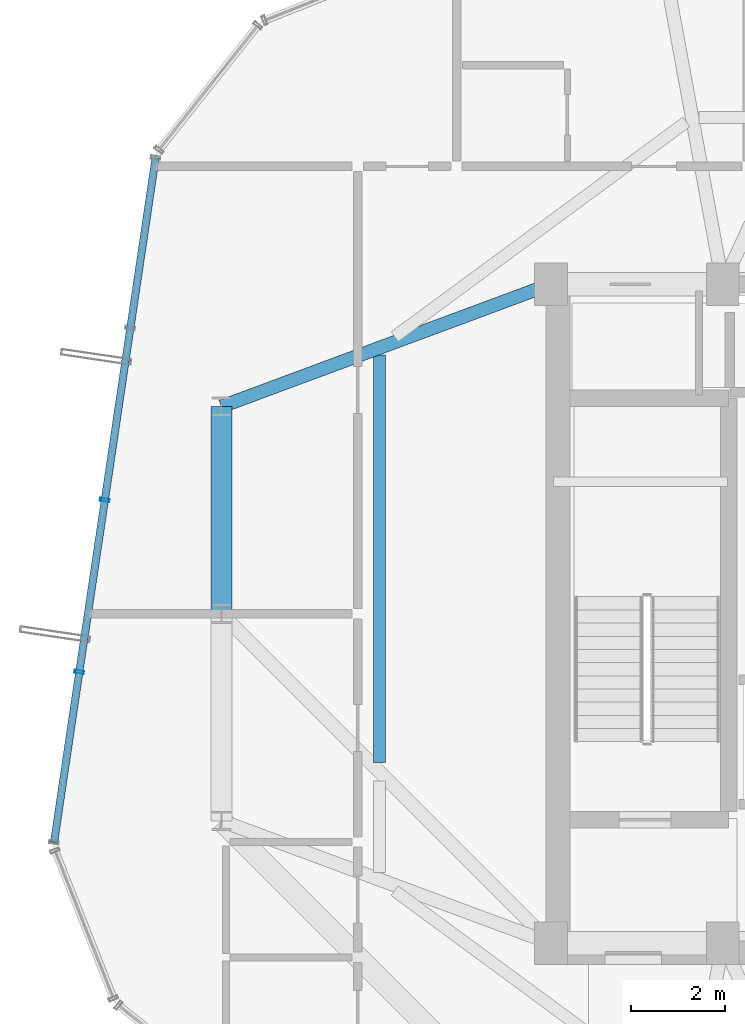
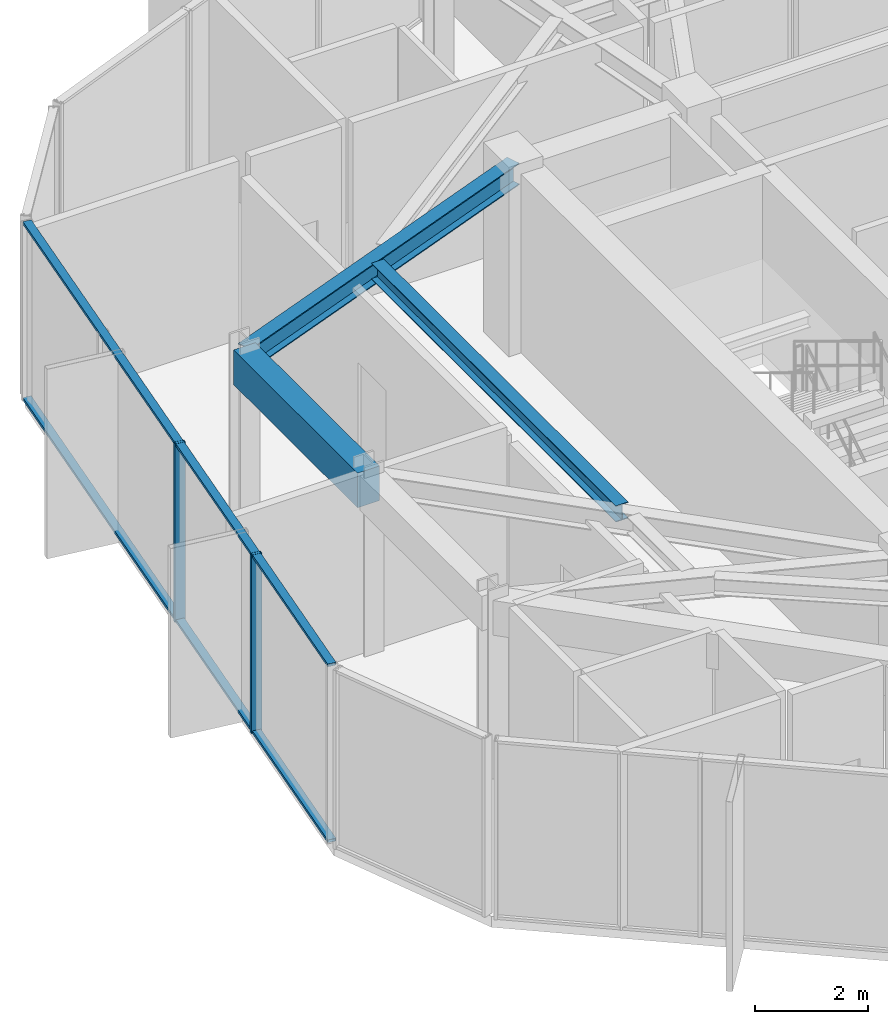
# One storey, part 9 of 22: 4 members, 3 beams, 1 element without a shape of its own.
"""IFC4 building model written with IfcOpenShell, lengths in metres."""

from ifc_helpers import new_model, si_unit, direction, frame, origin, origin_2d, place, context, subcontext, project, spatial, rectangle, hollow_rectangle, i_section, extrude, source, transform, mapped, material, layer, layer_set, material_profile, profile_set, type_object, element, aggregate, save


model = new_model("IFC4")

# Units and contexts
model_context = context("Model", 3, precision=1e-05, world=origin(), true_north=direction((0.0, 1.0)))
body_context = subcontext(model_context, "Body", "Model", "MODEL_VIEW")
ifc_project = project(units=[si_unit("LENGTHUNIT", "METRE"), si_unit("AREAUNIT", "SQUARE_METRE"), si_unit("VOLUMEUNIT", "CUBIC_METRE"), si_unit("PLANEANGLEUNIT", "RADIAN"), si_unit("MASSUNIT", "GRAM", prefix="KILO")], contexts=[model_context])

# Site, building, storey
site_placement = place(None, origin())
site = spatial("IfcSite", under=ifc_project, at=site_placement, CompositionType="ELEMENT")
building_placement = place(site_placement, origin())
building = spatial("IfcBuilding", under=site, at=building_placement, Name="Veraguas Prism Commons", CompositionType="ELEMENT")
storey_placement = place(building_placement, frame((0.0, 0.0, 236.550048828125)))
storey = spatial("IfcBuildingStorey", under=building, at=storey_placement, Name="L67", CompositionType="ELEMENT", Elevation=236.550048828125)

# Beams
ifc_material_1 = material(Name="Concrete C50/60", Category="concrete")
ifc_material_profile_1 = material_profile(ifc_material_1, rectangle(XDim=0.449951171875, YDim=0.75, at=origin_2d()), Name="RC450X750")
ifc_profile_set_1 = profile_set([ifc_material_profile_1], Name="Concrete C50/60")
beam_type_1 = type_object("IfcBeamType", Name="Perimeter Spandrel Upper RC 450x750", PredefinedType="SPANDREL", material=ifc_profile_set_1)
beam_1_placement = place(storey_placement, frame((10.199951171875, 28.39990234375, 3.489990234375), z_axis=(0.0, -1.0, 0.0), x_axis=(1.0, 0.0, 0.0)))
element("IfcBeam", 1, at=beam_1_placement, inside=storey, type_object=beam_type_1, Name="Perimeter Spandrel Beam L67-SP07", PredefinedType="SPANDREL", context=body_context, shape_type="SweptSolid", body=[
    extrude(rectangle(XDim=0.449951171875, YDim=0.75, at=origin_2d()), origin(), (0.0, 0.0, 1.0), 4.39990234375),
])
ifc_material_2 = material(Name="Steel ASTM A992 Grade 50", Category="steel")
ifc_material_profile_2 = material_profile(ifc_material_2, i_section(OverallWidth=0.25390625, OverallDepth=0.35302734375, WebThickness=0.009521484375, FlangeThickness=0.016357421875, at=origin_2d()), Name="W360X91")
ifc_profile_set_2 = profile_set([ifc_material_profile_2], Name="Steel ASTM A992 Grade 50")
beam_type_2 = type_object("IfcBeamType", Name="Upper Floor Joist W360x91", PredefinedType="JOIST", material=ifc_profile_set_2)
beam_2_placement = place(storey_placement, frame((13.56005859375, 29.499267578125, 3.6884765625), z_axis=(0.0, -1.0, 0.0), x_axis=(1.0, 0.0, 0.0)))
element("IfcBeam", 2, at=beam_2_placement, inside=storey, type_object=beam_type_2, Name="Composite Floor Joist L67-JS07", PredefinedType="JOIST", context=body_context, shape_type="SweptSolid", body=[
    extrude(i_section(OverallWidth=0.25390625, OverallDepth=0.35302734375, WebThickness=0.009521484375, FlangeThickness=0.016357421875, at=origin_2d()), origin(), (0.0, 0.0, 1.0), 8.661865234375),
])
ifc_material_profile_3 = material_profile(ifc_material_2, i_section(OverallWidth=0.282958984375, OverallDepth=0.471923828125, WebThickness=0.013671875, FlangeThickness=0.022216796875, at=origin_2d()), Name="W460X144")
ifc_profile_set_3 = profile_set([ifc_material_profile_3], Name="Steel ASTM A992 Grade 50")
beam_type_3 = type_object("IfcBeamType", Name="Zone 4 Radial Girder W460x144", PredefinedType="BEAM", material=ifc_profile_set_3)
beam_3_placement = place(storey_placement, frame((10.199951171875, 28.39990234375, 3.62890625), z_axis=(0.937421003341, 0.348198021958, 0.0), x_axis=(-0.348198021958, 0.937421003341, 0.0)))
element("IfcBeam", 3, at=beam_3_placement, inside=storey, type_object=beam_type_3, Name="Radial Floor Girder L67-RD07", PredefinedType="BEAM", context=body_context, shape_type="SweptSolid", body=[
    extrude(i_section(OverallWidth=0.282958984375, OverallDepth=0.471923828125, WebThickness=0.013671875, FlangeThickness=0.022216796875, at=origin_2d()), origin(), (0.0, 0.0, 1.0), 7.46728515625),
])

# Curtain wall, members
ifc_material_3 = material(Name="Anodised aluminium EN AW-6063 T6", Category="aluminium")
ifc_layer = layer(ifc_material_3, 0.199951171875, Name="Sky Lobby and Pool Acoustic Curtain Wall", Category="aluminium")
ifc_layer_set = layer_set([ifc_layer], Name="Anodised aluminium EN AW-6063 T6")
curtain_wall_type = type_object("IfcCurtainWallType", Name="Sky Lobby and Pool Acoustic Curtain Wall", PredefinedType="NOTDEFINED", material=ifc_layer_set)
curtain_wall_placement = place(storey_placement, origin())
curtain_wall = element("IfcCurtainWall", 4, at=curtain_wall_placement, inside=storey, type_object=curtain_wall_type, Name="Tower Facade Curtain Wall L67-F3", PredefinedType="NOTDEFINED")
ifc_material_profile_4 = material_profile(ifc_material_3, hollow_rectangle(XDim=0.06494140625, YDim=0.199951171875, WallThickness=0.00390625, at=origin_2d()), Name="AL65X200X4")
ifc_profile_set_4 = profile_set([ifc_material_profile_4], Name="Anodised aluminium EN AW-6063 T6")
member_type_1 = type_object("IfcMemberType", Name="Curtain Wall Mullion Heavy AL 65x200x4", PredefinedType="MULLION", material=ifc_profile_set_4)
shared_shape_1 = source(origin(), body_context, "Body", "SweptSolid", [
    extrude(hollow_rectangle(XDim=0.06494140625, YDim=0.199951171875, WallThickness=0.00390625, at=origin_2d()), origin(), (0.0, 0.0, 1.0), 3.864990234375),
])
member_1_placement = place(storey_placement, frame((7.7236328125, 26.4150390625, 0.0), z_axis=(0.0, 0.0, 1.0), x_axis=(-0.146773635283, -0.989170106698, 0.0)))
member_1 = element("IfcMember", 5, at=member_1_placement, type_object=member_type_1, Name="CW-SKY Mullion 3", PredefinedType="MULLION", context=body_context, shape_type="MappedRepresentation", body=[
    mapped(shared_shape_1, transform((0.0, 0.0, 0.0), scale=1.0)),
])
member_2_placement = place(storey_placement, frame((7.181884765625, 22.763427734375, 0.0), z_axis=(0.0, 0.0, 1.0), x_axis=(-0.146773635283, -0.989170106698, 0.0)))
member_2 = element("IfcMember", 6, at=member_2_placement, type_object=member_type_1, Name="CW-SKY Mullion 4", PredefinedType="MULLION", context=body_context, shape_type="MappedRepresentation", body=[
    mapped(shared_shape_1, transform((0.0, 0.0, 0.0), scale=1.0)),
])
ifc_material_profile_5 = material_profile(ifc_material_3, hollow_rectangle(XDim=0.06005859375, YDim=0.159912109375, WallThickness=0.0029296875, at=origin_2d()), Name="AL60X160X3")
ifc_profile_set_5 = profile_set([ifc_material_profile_5], Name="Anodised aluminium EN AW-6063 T6")
member_type_2 = type_object("IfcMemberType", Name="Curtain Wall Transom Heavy AL 60x160x3", PredefinedType="USERDEFINED", material=ifc_profile_set_5)
shared_shape_2 = source(origin(), body_context, "Body", "SweptSolid", [
    extrude(hollow_rectangle(XDim=0.06005859375, YDim=0.159912109375, WallThickness=0.0029296875, at=origin_2d()), origin(), (0.0, 0.0, 1.0), 14.701171875),
])
member_3_placement = place(storey_placement, frame((8.802734375, 33.68603515625, 0.030029296875), z_axis=(-0.14678759426, -0.989168035357, 0.0), x_axis=(0.0, 0.0, 1.0)))
member_3 = element("IfcMember", 7, at=member_3_placement, type_object=member_type_2, Name="CW-SKY Transom 1", ObjectType="TRANSOM", PredefinedType="USERDEFINED", context=body_context, shape_type="MappedRepresentation", body=[
    mapped(shared_shape_2, transform((0.0, 0.0, 0.0), scale=1.0)),
])
member_4_placement = place(storey_placement, frame((8.802734375, 33.68603515625, 3.8349609375), z_axis=(-0.14678759426, -0.989168035357, 0.0), x_axis=(0.0, 0.0, 1.0)))
member_4 = element("IfcMember", 8, at=member_4_placement, type_object=member_type_2, Name="CW-SKY Transom 2", ObjectType="TRANSOM", PredefinedType="USERDEFINED", context=body_context, shape_type="MappedRepresentation", body=[
    mapped(shared_shape_2, transform((0.0, 0.0, 0.0), scale=1.0)),
])
aggregate(curtain_wall, [member_1, member_2, member_3, member_4])

save(model, "model.ifc")
